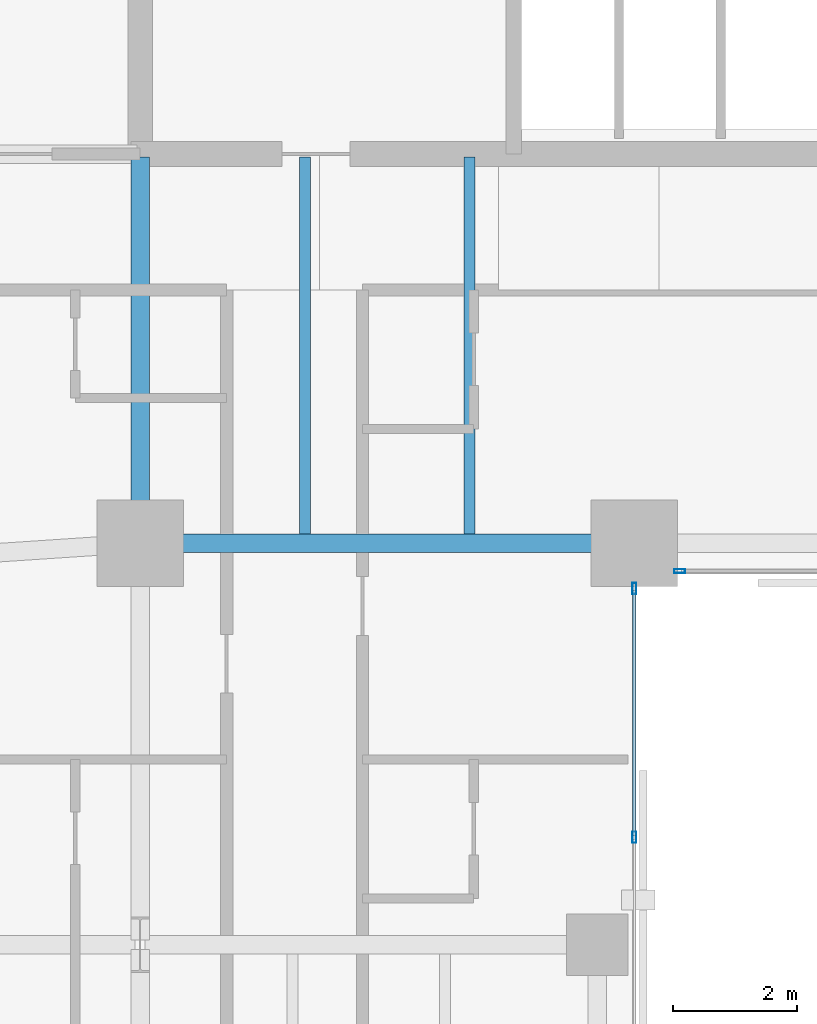
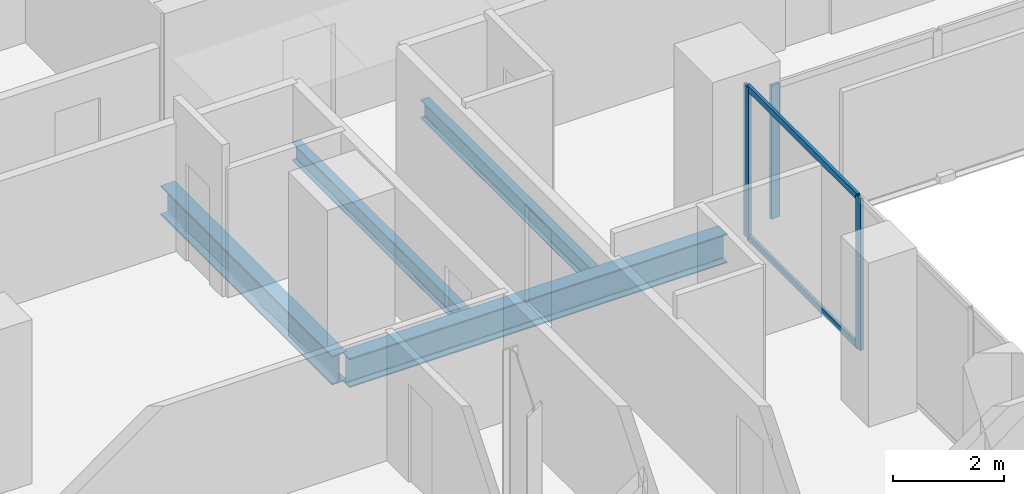
# One storey, part 12 of 31: 5 members, 4 beams, 2 elements without a shape of their own.
"""IFC4 building model written with IfcOpenShell, lengths in metres."""

from ifc_helpers import new_model, si_unit, direction, frame, origin, origin_2d, place, context, subcontext, project, spatial, hollow_rectangle, i_section, extrude, material, layer, layer_set, material_profile, profile_set, type_object, element, aggregate, save


model = new_model("IFC4")

# Units and contexts
model_context = context("Model", 3, precision=1e-05, world=origin(), true_north=direction((0.0, 1.0)))
body_context = subcontext(model_context, "Body", "Model", "MODEL_VIEW")
ifc_project = project(units=[si_unit("LENGTHUNIT", "METRE"), si_unit("AREAUNIT", "SQUARE_METRE"), si_unit("VOLUMEUNIT", "CUBIC_METRE"), si_unit("PLANEANGLEUNIT", "RADIAN"), si_unit("MASSUNIT", "GRAM", prefix="KILO")], contexts=[model_context])

# Site, building, storey
site_placement = place(None, origin())
site = spatial("IfcSite", under=ifc_project, at=site_placement, CompositionType="ELEMENT")
building_placement = place(site_placement, origin())
building = spatial("IfcBuilding", under=site, at=building_placement, Name="Catumbela Crestline Tower", CompositionType="ELEMENT")
storey_placement = place(building_placement, frame((0.0, 0.0, 36.6)))
storey = spatial("IfcBuildingStorey", under=building, at=storey_placement, Name="L08", CompositionType="ELEMENT", Elevation=36.6)

# Beams
ifc_material_1 = material(Name="Structural steel S355J2", Category="steel")
ifc_material_profile_1 = material_profile(ifc_material_1, i_section(OverallWidth=0.3, OverallDepth=0.64, WebThickness=0.0135, FlangeThickness=0.026, FilletRadius=0.027, at=origin_2d()), Name="HEA 650")
ifc_profile_set_1 = profile_set([ifc_material_profile_1], Name="Structural steel S355J2")
beam_type_1 = type_object("IfcBeamType", Name="BG-HEA650", PredefinedType="BEAM", material=ifc_profile_set_1)
beam_1_placement = place(storey_placement, frame((16.08, 24.5, -0.58), z_axis=(1.0, 0.0, 0.0), x_axis=(0.0, 1.0, 0.0)))
element("IfcBeam", 1, at=beam_1_placement, inside=storey, type_object=beam_type_1, Name="L08 Beam BM-L08-S04", PredefinedType="BEAM", context=body_context, shape_type="SweptSolid", body=[
    extrude(i_section(OverallWidth=0.3, OverallDepth=0.64, WebThickness=0.0135, FlangeThickness=0.026, FilletRadius=0.027, at=origin_2d()), origin(), (0.0, 0.0, 1.0), 7.84),
])
beam_2_placement = place(storey_placement, frame((16.0, 24.58, -0.58), z_axis=(0.0, 1.0, 0.0), x_axis=(-1.0, 0.0, 0.0)))
element("IfcBeam", 2, at=beam_2_placement, inside=storey, type_object=beam_type_1, Name="L08 Beam BM-L08-SNS31", PredefinedType="BEAM", context=body_context, shape_type="SweptSolid", body=[
    extrude(i_section(OverallWidth=0.3, OverallDepth=0.64, WebThickness=0.0135, FlangeThickness=0.026, FilletRadius=0.027, at=origin_2d()), origin(), (0.0, 0.0, 1.0), 6.17),
])
ifc_material_profile_2 = material_profile(ifc_material_1, i_section(OverallWidth=0.18, OverallDepth=0.4, WebThickness=0.0086, FlangeThickness=0.0135, FilletRadius=0.021, at=origin_2d()), Name="IPE 400")
ifc_profile_set_2 = profile_set([ifc_material_profile_2], Name="Structural steel S355J2")
beam_type_2 = type_object("IfcBeamType", Name="BJ-IPE400", PredefinedType="JOIST", material=ifc_profile_set_2)
for number, where, z_axis, x_axis, name in (
    (3, (18.667, 24.647, -0.46), (0.0, 1.0, 0.0), (-1.0, 0.0, 0.0), "L08 Joist JS-L08-SP42"),
    (4, (21.333, 24.647, -0.46), (0.0, 1.0, 0.0), (-1.0, 0.0, 0.0), "L08 Joist JS-L08-SP43"),
):
    element("IfcBeam", number, at=place(storey_placement, frame(where, z_axis=z_axis, x_axis=x_axis)), inside=storey, type_object=beam_type_2, Name=name, PredefinedType="JOIST", context=body_context, shape_type="SweptSolid", body=[
        extrude(i_section(OverallWidth=0.18, OverallDepth=0.4, WebThickness=0.0086, FlangeThickness=0.0135, FilletRadius=0.021, at=origin_2d()), origin(), (0.0, 0.0, 1.0), 6.103),
    ])

# Curtain wall, members
ifc_material_2 = material(Name="Aluminium alloy AW-6060-T66", Category="aluminium")
ifc_layer = layer(ifc_material_2, 0.18, Name="Aluminium alloy AW-6060-T66")
ifc_layer_set = layer_set([ifc_layer], Name="Aluminium alloy AW-6060-T66")
curtain_wall_type = type_object("IfcCurtainWallType", Name="CWU-Z1", PredefinedType="USERDEFINED", material=ifc_layer_set)
curtain_wall_1_placement = place(storey_placement, origin())
curtain_wall_1 = element("IfcCurtainWall", 5, at=curtain_wall_1_placement, inside=storey, type_object=curtain_wall_type, Name="L08 Unitised Curtain Wall CW-L08-E2S1", ObjectType="UNITISED", PredefinedType="USERDEFINED")
ifc_material_profile_3 = material_profile(ifc_material_2, hollow_rectangle(XDim=0.065, YDim=0.18, WallThickness=0.004, at=origin_2d()), Name="ALU 180x65x4")
ifc_profile_set_3 = profile_set([ifc_material_profile_3], Name="Aluminium alloy AW-6060-T66")
member_type_1 = type_object("IfcMemberType", Name="MUL-180X65", PredefinedType="MULLION", material=ifc_profile_set_3)
member_1_placement = place(storey_placement, frame((24.0, 19.74, 0.0), z_axis=(0.0, 0.0, 1.0), x_axis=(-1.0, 0.0, 0.0)))
member_1 = element("IfcMember", 6, at=member_1_placement, type_object=member_type_1, Name="CWU-Z1 mullion 5", PredefinedType="MULLION", context=body_context, shape_type="SweptSolid", body=[
    extrude(hollow_rectangle(XDim=0.065, YDim=0.18, WallThickness=0.004, at=origin_2d()), origin(), (0.0, 0.0, 1.0), 3.33),
])
member_2_placement = place(storey_placement, frame((24.0, 23.7675, 0.0), z_axis=(0.0, 0.0, 1.0), x_axis=(-1.0, 0.0, 0.0)))
member_2 = element("IfcMember", 7, at=member_2_placement, type_object=member_type_1, Name="CWU-Z1 mullion 6", PredefinedType="MULLION", context=body_context, shape_type="SweptSolid", body=[
    extrude(hollow_rectangle(XDim=0.065, YDim=0.18, WallThickness=0.004, at=origin_2d()), origin(), (0.0, 0.0, 1.0), 3.33),
])

# Curtain wall, member
curtain_wall_2_placement = place(storey_placement, origin())
curtain_wall_2 = element("IfcCurtainWall", 8, at=curtain_wall_2_placement, inside=storey, type_object=curtain_wall_type, Name="L08 Unitised Curtain Wall CW-L08-E3S1", ObjectType="UNITISED", PredefinedType="USERDEFINED")
member_3_placement = place(storey_placement, frame((24.7325, 24.05, 0.0), z_axis=(0.0, 0.0, 1.0), x_axis=(0.0, 1.0, 0.0)))
member_3 = element("IfcMember", 9, at=member_3_placement, type_object=member_type_1, Name="CWU-Z1 mullion 1", PredefinedType="MULLION", context=body_context, shape_type="SweptSolid", body=[
    extrude(hollow_rectangle(XDim=0.065, YDim=0.18, WallThickness=0.004, at=origin_2d()), origin(), (0.0, 0.0, 1.0), 2.93),
])
aggregate(curtain_wall_2, [member_3])

# Member
ifc_material_profile_4 = material_profile(ifc_material_2, hollow_rectangle(XDim=0.06, YDim=0.14, WallThickness=0.004, at=origin_2d()), Name="ALU 140x60x4")
ifc_profile_set_4 = profile_set([ifc_material_profile_4], Name="Aluminium alloy AW-6060-T66")
member_type_2 = type_object("IfcMemberType", Name="TRN-140X60", PredefinedType="USERDEFINED", material=ifc_profile_set_4)
member_4_placement = place(storey_placement, frame((24.0, 19.7725, 0.03), z_axis=(0.0, 1.0, 0.0), x_axis=(-1.0, 0.0, 0.0)))
member_4 = element("IfcMember", 10, at=member_4_placement, type_object=member_type_2, Name="CWU-Z1 transom 5.1", ObjectType="TRANSOM", PredefinedType="USERDEFINED", context=body_context, shape_type="SweptSolid", body=[
    extrude(hollow_rectangle(XDim=0.06, YDim=0.14, WallThickness=0.004, at=origin_2d()), origin(), (0.0, 0.0, 1.0), 3.9625),
])

member_5_placement = place(storey_placement, frame((24.0, 19.7725, 3.3), z_axis=(0.0, 1.0, 0.0), x_axis=(-1.0, 0.0, 0.0)))
member_5 = element("IfcMember", 11, at=member_5_placement, type_object=member_type_2, Name="CWU-Z1 transom 5.2", ObjectType="TRANSOM", PredefinedType="USERDEFINED", context=body_context, shape_type="SweptSolid", body=[
    extrude(hollow_rectangle(XDim=0.06, YDim=0.14, WallThickness=0.004, at=origin_2d()), origin(), (0.0, 0.0, 1.0), 3.9625),
])

aggregate(curtain_wall_1, [member_1, member_2, member_4, member_5])

save(model, "model.ifc")
